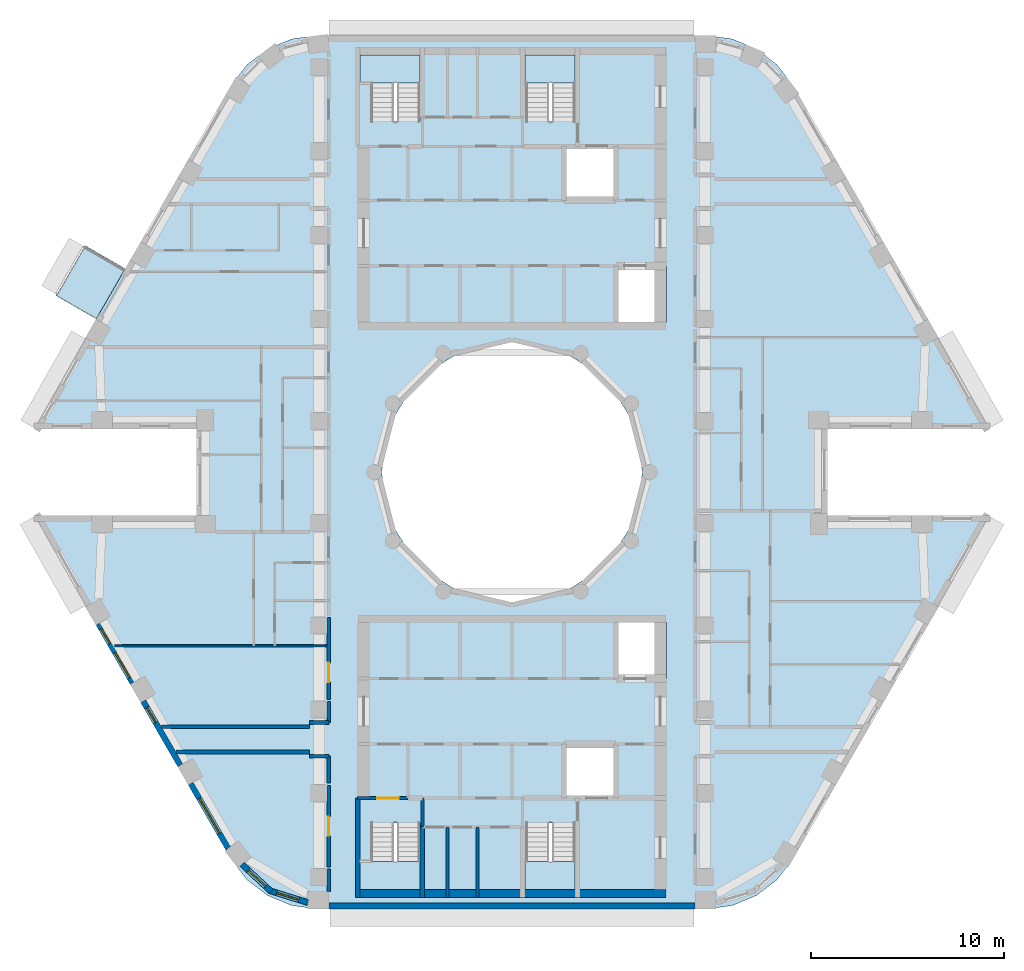
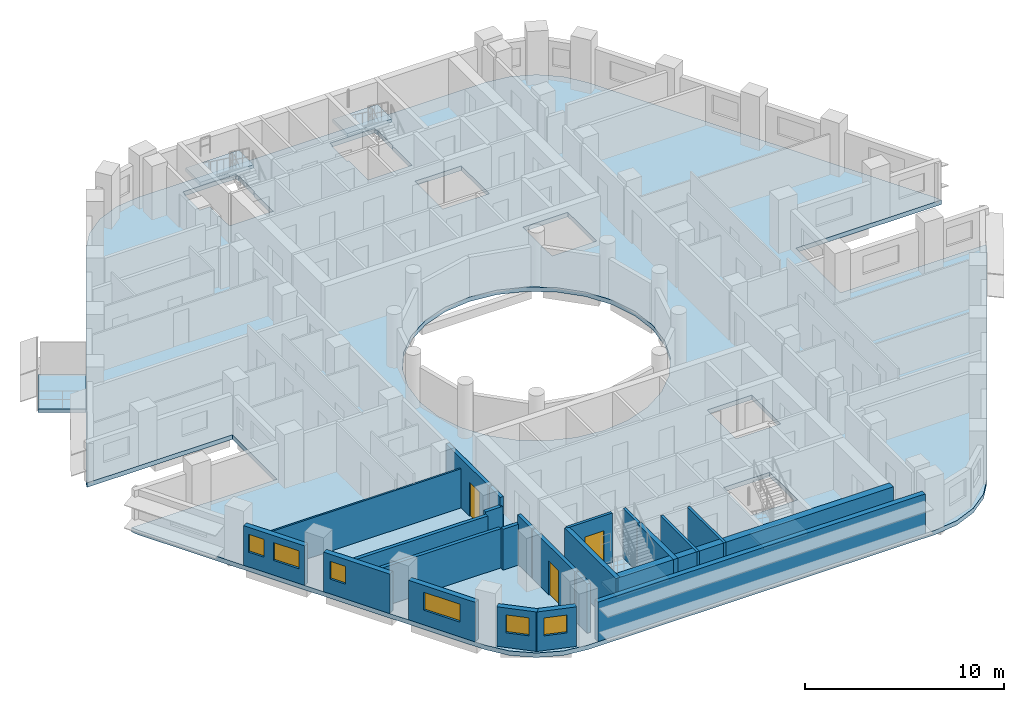
# One storey, part 2 of 13: 23 walls, 6 slabs, 6 windows, 3 doors, 9 openings, 4 elements without a shape of their own.
"""IFC4 building model written with IfcOpenShell, lengths in metres."""

from ifc_helpers import new_model, si_unit, direction, frame, frame_2d, origin, place, context, subcontext, project, spatial, polyline, rectangle, outline, extrude, material, layer, layer_set, type_object, element, fill, aggregate, save


model = new_model("IFC4")

# Units and contexts
model_context = context("Model", 3, precision=1e-05, world=origin(), true_north=direction((0.0, 1.0)))
body_context = subcontext(model_context, "Body", "Model", "MODEL_VIEW")
ifc_project = project(units=[si_unit("LENGTHUNIT", "METRE"), si_unit("AREAUNIT", "SQUARE_METRE"), si_unit("VOLUMEUNIT", "CUBIC_METRE"), si_unit("PLANEANGLEUNIT", "RADIAN"), si_unit("MASSUNIT", "GRAM", prefix="KILO")], contexts=[model_context])

# Site, building, storey
site_placement = place(None, origin())
site = spatial("IfcSite", under=ifc_project, at=site_placement, CompositionType="ELEMENT")
building_placement = place(site_placement, origin())
building = spatial("IfcBuilding", under=site, at=building_placement, Name="Nakaniwa Court", CompositionType="ELEMENT")
storey_placement = place(building_placement, frame((0.0, 0.0, 246.0)))
storey = spatial("IfcBuildingStorey", under=building, at=storey_placement, Name="L64", CompositionType="ELEMENT", Elevation=246.0)

# Slabs
ifc_material_1 = material(Name="Charcoal ceramic paver")
ifc_layer_1 = layer(ifc_material_1, 0.02, Name="Ceramic paver")
ifc_material_2 = material(Name="Cement sand screed")
ifc_layer_2 = layer(ifc_material_2, 0.03, Name="Falls screed")
ifc_material_3 = material(Name="Concrete C40/50", Category="concrete")
ifc_layer_3 = layer(ifc_material_3, 0.15, Name="Balcony slab")
ifc_layer_set_1 = layer_set([ifc_layer_1, ifc_layer_2, ifc_layer_3], Name="Concrete C40/50 balcony slab with ceramic paver finish")
slab_type_1 = type_object("IfcSlabType", Name="Balcony slab 200", PredefinedType="FLOOR", material=ifc_layer_set_1)
slab_1_placement = place(storey_placement, frame((0.0, 0.0, -0.25)))
element("IfcSlab", 1, at=slab_1_placement, inside=storey, type_object=slab_type_1, Name="L64 balcony 01", PredefinedType="FLOOR", context=body_context, shape_type="SweptSolid", body=[
    extrude(outline(polyline([(59.94287109375, 90.56005859375), (58.436279296875, 87.95068359375), (56.35791015625, 89.15087890625), (57.864501953125, 91.760009765625), (59.94287109375, 90.56005859375)])), origin(), (0.0, 0.0, 1.0), 0.199951171875),
])
ifc_material_4 = material(Name="Concrete C80/100", Category="concrete")
ifc_layer_4 = layer(ifc_material_4, 0.27490234375)
ifc_layer_set_2 = layer_set([ifc_layer_4], Name="Concrete C80/100")
slab_type_2 = type_object("IfcSlabType", Name="Concrete C80/100 post tensioned floor slab 275", PredefinedType="FLOOR", material=ifc_layer_set_2)
slab_2_placement = place(storey_placement, frame((0.0, 0.0, -0.27490234375)))
element("IfcSlab", 2, at=slab_2_placement, inside=storey, type_object=slab_type_2, Name="FLOOR SLAB", PredefinedType="FLOOR", context=body_context, shape_type="SweptSolid", body=[
    extrude(outline(polyline([(96.349609375, 82.25), (104.7978515625, 82.25), (104.65283203125, 82.60009765625), (94.578125, 100.050048828125), (93.751708984375, 101.126953125), (92.6748046875, 101.953369140625), (91.420654296875, 102.472900390625), (90.07470703125, 102.64990234375), (69.92529296875, 102.64990234375), (68.579345703125, 102.472900390625), (67.3251953125, 101.953369140625), (66.248291015625, 101.126953125), (65.421875, 100.050048828125), (55.34716796875, 82.60009765625), (55.2021484375, 82.25), (63.650390625, 82.25), (63.650390625, 77.75), (55.2021484375, 77.75), (55.34716796875, 77.39990234375), (65.421875, 59.949951171875), (66.248291015625, 58.873046875), (67.3251953125, 58.046630859375), (68.579345703125, 57.527099609375), (69.92529296875, 57.35009765625), (90.07470703125, 57.35009765625), (91.420654296875, 57.527099609375), (92.6748046875, 58.046630859375), (93.751708984375, 58.873046875), (94.578125, 59.949951171875), (104.65283203125, 77.39990234375), (104.7978515625, 77.75), (96.349609375, 77.75), (96.349609375, 82.25)]), holes=[polyline([(81.501953125, 86.580810546875), (80.0, 86.75), (78.498046875, 86.580810546875), (77.0712890625, 86.08154296875), (75.79150390625, 85.27734375), (74.72265625, 84.20849609375), (73.91845703125, 82.9287109375), (73.419189453125, 81.501953125), (73.25, 80.0), (73.419189453125, 78.498046875), (73.91845703125, 77.0712890625), (74.72265625, 75.79150390625), (75.79150390625, 74.72265625), (77.0712890625, 73.91845703125), (78.498046875, 73.419189453125), (80.0, 73.25), (81.501953125, 73.419189453125), (82.9287109375, 73.91845703125), (84.20849609375, 74.72265625), (85.27734375, 75.79150390625), (86.08154296875, 77.0712890625), (86.580810546875, 78.498046875), (86.75, 80.0), (86.580810546875, 81.501953125), (86.08154296875, 82.9287109375), (85.27734375, 84.20849609375), (84.20849609375, 85.27734375), (82.9287109375, 86.08154296875), (81.501953125, 86.580810546875)]), polyline([(72.675048828125, 61.81005859375), (72.675048828125, 59.864990234375), (72.0849609375, 59.864990234375), (72.0849609375, 58.31005859375), (72.125, 58.31005859375), (72.125, 58.074951171875), (75.22509765625, 58.074951171875), (75.22509765625, 58.31005859375), (75.264892578125, 58.31005859375), (75.264892578125, 59.864990234375), (75.22509765625, 59.864990234375), (75.22509765625, 61.81005859375), (72.675048828125, 61.81005859375)]), polyline([(83.27490234375, 61.81005859375), (80.72509765625, 61.81005859375), (80.72509765625, 59.864990234375), (80.635009765625, 59.864990234375), (80.635009765625, 58.31005859375), (80.675048828125, 58.31005859375), (80.675048828125, 58.074951171875), (83.27490234375, 58.074951171875), (83.27490234375, 58.31005859375), (83.31494140625, 58.31005859375), (83.31494140625, 59.864990234375), (83.27490234375, 59.864990234375), (83.27490234375, 61.81005859375)]), polyline([(75.264892578125, 101.68994140625), (75.22509765625, 101.68994140625), (75.22509765625, 101.925048828125), (72.125, 101.925048828125), (72.125, 101.68994140625), (72.0849609375, 101.68994140625), (72.0849609375, 100.135009765625), (72.675048828125, 100.135009765625), (72.675048828125, 98.18994140625), (75.22509765625, 98.18994140625), (75.22509765625, 100.135009765625), (75.264892578125, 100.135009765625), (75.264892578125, 101.68994140625)]), polyline([(83.31494140625, 100.135009765625), (83.31494140625, 101.68994140625), (83.27490234375, 101.68994140625), (83.27490234375, 101.925048828125), (80.675048828125, 101.925048828125), (80.675048828125, 101.68994140625), (80.635009765625, 101.68994140625), (80.635009765625, 100.135009765625), (80.72509765625, 100.135009765625), (80.72509765625, 98.18994140625), (83.27490234375, 98.18994140625), (83.27490234375, 100.135009765625), (83.31494140625, 100.135009765625)]), polyline([(85.39990234375, 65.89990234375), (82.699951171875, 65.89990234375), (82.699951171875, 63.10009765625), (85.39990234375, 63.10009765625), (85.39990234375, 65.89990234375)]), polyline([(88.0, 72.199951171875), (85.39990234375, 72.199951171875), (85.39990234375, 69.300048828125), (88.0, 69.300048828125), (88.0, 72.199951171875)]), polyline([(85.39990234375, 90.699951171875), (85.39990234375, 87.800048828125), (88.0, 87.800048828125), (88.0, 90.699951171875), (85.39990234375, 90.699951171875)]), polyline([(85.39990234375, 96.89990234375), (82.699951171875, 96.89990234375), (82.699951171875, 94.10009765625), (85.39990234375, 94.10009765625), (85.39990234375, 96.89990234375)])]), origin(), (0.0, 0.0, 1.0), 0.27490234375),
])

# Stair, slab
stair_type = type_object("IfcStairType", Name="Dog leg stair 1200 wide 18 risers", PredefinedType="HALF_TURN_STAIR", material=ifc_material_4)
stair_1_placement = place(storey_placement, origin())
stair_1 = element("IfcStair", 3, at=stair_1_placement, inside=storey, type_object=stair_type, Name="L64 Stair ST1", PredefinedType="HALF_TURN_STAIR")
ifc_layer_5 = layer(ifc_material_4, 0.199951171875)
ifc_layer_set_3 = layer_set([ifc_layer_5], Name="Concrete C80/100")
slab_type_3 = type_object("IfcSlabType", Name="Stair landing concrete", PredefinedType="LANDING", material=ifc_layer_set_3)
slab_3_placement = place(storey_placement, frame((0.0, 0.0, 1.449951171875)))
slab_3 = element("IfcSlab", 4, at=slab_3_placement, type_object=slab_type_3, Name="ST1 landing 1", PredefinedType="LANDING", context=body_context, shape_type="SweptSolid", body=[
    extrude(outline(polyline([(75.22509765625, 100.175048828125), (75.22509765625, 101.64990234375), (72.125, 101.64990234375), (72.125, 100.175048828125), (75.22509765625, 100.175048828125)])), origin(), (0.0, 0.0, 1.0), 0.199951171875),
])
aggregate(stair_1, [slab_3])

stair_2_placement = place(storey_placement, origin())
stair_2 = element("IfcStair", 5, at=stair_2_placement, inside=storey, type_object=stair_type, Name="L64 Stair ST2", PredefinedType="HALF_TURN_STAIR")
slab_4_placement = place(storey_placement, frame((0.0, 0.0, 1.449951171875)))
slab_4 = element("IfcSlab", 6, at=slab_4_placement, type_object=slab_type_3, Name="ST2 landing 1", PredefinedType="LANDING", context=body_context, shape_type="SweptSolid", body=[
    extrude(outline(polyline([(83.27490234375, 100.175048828125), (83.27490234375, 101.64990234375), (80.675048828125, 101.64990234375), (80.675048828125, 100.175048828125), (83.27490234375, 100.175048828125)])), origin(), (0.0, 0.0, 1.0), 0.199951171875),
])
aggregate(stair_2, [slab_4])

stair_3_placement = place(storey_placement, origin())
stair_3 = element("IfcStair", 7, at=stair_3_placement, inside=storey, type_object=stair_type, Name="L64 Stair ST3", PredefinedType="HALF_TURN_STAIR")
slab_5_placement = place(storey_placement, frame((0.0, 0.0, 1.449951171875)))
slab_5 = element("IfcSlab", 8, at=slab_5_placement, type_object=slab_type_3, Name="ST3 landing 1", PredefinedType="LANDING", context=body_context, shape_type="SweptSolid", body=[
    extrude(outline(polyline([(75.22509765625, 58.35009765625), (75.22509765625, 59.824951171875), (72.125, 59.824951171875), (72.125, 58.35009765625), (75.22509765625, 58.35009765625)])), origin(), (0.0, 0.0, 1.0), 0.199951171875),
])
aggregate(stair_3, [slab_5])

stair_4_placement = place(storey_placement, origin())
stair_4 = element("IfcStair", 9, at=stair_4_placement, inside=storey, type_object=stair_type, Name="L64 Stair ST4", PredefinedType="HALF_TURN_STAIR")
slab_6_placement = place(storey_placement, frame((0.0, 0.0, 1.449951171875)))
slab_6 = element("IfcSlab", 10, at=slab_6_placement, type_object=slab_type_3, Name="ST4 landing 1", PredefinedType="LANDING", context=body_context, shape_type="SweptSolid", body=[
    extrude(outline(polyline([(83.27490234375, 58.35009765625), (83.27490234375, 59.824951171875), (80.675048828125, 59.824951171875), (80.675048828125, 58.35009765625), (83.27490234375, 58.35009765625)])), origin(), (0.0, 0.0, 1.0), 0.199951171875),
])
aggregate(stair_4, [slab_6])

# Walls
ifc_material_5 = material(Name="Acoustic double stud partition")
ifc_layer_6 = layer(ifc_material_5, 0.199951171875)
ifc_layer_set_4 = layer_set([ifc_layer_6], Name="Acoustic double stud partition")
wall_type_1 = type_object("IfcWallType", Name="Acoustic double stud partition 200", PredefinedType="PARTITIONING", material=ifc_layer_set_4)
wall_1_placement = place(storey_placement, frame((62.56396484375, 65.5, 0.0), z_axis=(0.0, 0.0, 1.0), x_axis=(1.0, 0.0, 0.0)))
element("IfcWall", 11, at=wall_1_placement, inside=storey, type_object=wall_type_1, Name="Partition PW-081", PredefinedType="PARTITIONING", context=body_context, shape_type="SweptSolid", body=[
    extrude(rectangle(XDim=6.93603515625, YDim=0.199951171875, at=frame_2d((3.468017578125, 0.0))), origin(), (0.0, 0.0, 1.0), 2.405029296875),
])
for number, where, z_axis, x_axis, name in (
    (12, (69.5, 65.27490234375, 0.0), (0.0, 0.0, 1.0), (1.0, 0.0, 0.0), "Partition PW-083"),
    (13, (69.5, 67.02490234375, 0.0), (0.0, 0.0, 1.0), (1.0, 0.0, 0.0), "Partition PW-085"),
):
    element("IfcWall", number, at=place(storey_placement, frame(where, z_axis=z_axis, x_axis=x_axis)), inside=storey, type_object=wall_type_1, Name=name, PredefinedType="PARTITIONING", context=body_context, shape_type="SweptSolid", body=[
        extrude(rectangle(XDim=1.0, YDim=0.199951171875, at=frame_2d((0.5, 0.0))), origin(), (0.0, 0.0, 1.0), 2.5048828125),
    ])
wall_2_placement = place(storey_placement, frame((61.8134765625, 66.800048828125, 0.0), z_axis=(0.0, 0.0, 1.0), x_axis=(1.0, 0.0, 0.0)))
element("IfcWall", 14, at=wall_2_placement, inside=storey, type_object=wall_type_1, Name="Partition PW-087", PredefinedType="PARTITIONING", context=body_context, shape_type="SweptSolid", body=[
    extrude(rectangle(XDim=7.6865234375, YDim=0.199951171875, at=frame_2d((3.84326171875, 0.0))), origin(), (0.0, 0.0, 1.0), 2.405029296875),
])
wall_3_placement = place(storey_placement, frame((70.5, 58.26708984375, 0.0), z_axis=(0.0, 0.0, 1.0), x_axis=(0.0, 1.0, 0.0)))
element("IfcWall", 15, at=wall_3_placement, inside=storey, type_object=wall_type_1, Name="Partition PW-089", PredefinedType="PARTITIONING", context=body_context, shape_type="SweptSolid", body=[
    extrude(rectangle(XDim=1.14599609375, YDim=0.199951171875, at=frame_2d((0.572998046875, 0.0))), origin(), (0.0, 0.0, 1.0), 3.02490234375),
])

# Wall, opening, door
wall_4_placement = place(storey_placement, frame((70.5, 59.527099609375, 0.0), z_axis=(0.0, 0.0, 1.0), x_axis=(0.0, 1.0, 0.0)))
wall_4 = element("IfcWall", 16, at=wall_4_placement, inside=storey, type_object=wall_type_1, Name="Partition PW-090", PredefinedType="PARTITIONING", context=body_context, shape_type="SweptSolid", body=[
    extrude(rectangle(XDim=4.23583984375, YDim=0.199951171875, at=frame_2d((2.117919921875, 0.0))), origin(), (0.0, 0.0, 1.0), 3.02490234375),
])
opening_1_placement = place(wall_4_placement, frame((1.617919921875, 0.0, 0.0)))
opening_1 = element("IfcOpeningElement", 17, at=opening_1_placement, cuts=wall_4, Name="Opening D-02-04", PredefinedType="OPENING", context=body_context, shape_type="SweptSolid", body=[
    extrude(rectangle(XDim=1.0, YDim=2.10009765625, at=frame_2d((0.5, 1.050048828125))), frame((0.0, 0.10986328125, 0.0), z_axis=(0.0, -1.0, 0.0), x_axis=(1.0, 0.0, 0.0)), (0.0, 0.0, 1.0), 0.219970703125),
])
ifc_material_6 = material(Name="Solid core timber door set, black veneer", Category="wood")
door_type_1 = type_object("IfcDoorType", Name="Internal door 1000", OperationType="NOTDEFINED", PredefinedType="DOOR", material=ifc_material_6)
door_1_placement = place(opening_1_placement, origin())
door_1 = element("IfcDoor", 18, at=door_1_placement, inside=storey, type_object=door_type_1, Name="Door D-02-04 L64-060", OperationType="SINGLE_SWING_LEFT", OverallHeight=2.10009765625, OverallWidth=1.0, PredefinedType="DOOR", context=body_context, shape_type="SweptSolid", body=[
    extrude(rectangle(XDim=1.0, YDim=2.10009765625, at=frame_2d((0.5, 1.050048828125))), frame((0.0, 0.02490234375, 0.0), z_axis=(0.0, -1.0, 0.0), x_axis=(1.0, 0.0, 0.0)), (0.0, 0.0, 1.0), 0.050048828125),
])
fill(opening_1, door_1)

# Walls
wall_5_placement = place(storey_placement, frame((70.5, 63.876953125, 0.0), z_axis=(0.0, 0.0, 1.0), x_axis=(0.0, 1.0, 0.0)))
element("IfcWall", 19, at=wall_5_placement, inside=storey, type_object=wall_type_1, Name="Partition PW-091", PredefinedType="PARTITIONING", context=body_context, shape_type="SweptSolid", body=[
    extrude(rectangle(XDim=1.401123046875, YDim=0.199951171875, at=frame_2d((0.70068359375, 0.0))), origin(), (0.0, 0.0, 1.0), 3.02490234375),
])
wall_6_placement = place(storey_placement, frame((70.5, 67.02197265625, 0.0), z_axis=(0.0, 0.0, 1.0), x_axis=(0.0, 1.0, 0.0)))
element("IfcWall", 20, at=wall_6_placement, inside=storey, type_object=wall_type_1, Name="Partition PW-092", PredefinedType="PARTITIONING", context=body_context, shape_type="SweptSolid", body=[
    extrude(rectangle(XDim=1.091064453125, YDim=0.199951171875, at=frame_2d((0.54541015625, 0.0))), origin(), (0.0, 0.0, 1.0), 3.02490234375),
])

# Wall, opening, door
wall_7_placement = place(storey_placement, frame((70.5, 68.22705078125, 0.0), z_axis=(0.0, 0.0, 1.0), x_axis=(0.0, 1.0, 0.0)))
wall_7 = element("IfcWall", 21, at=wall_7_placement, inside=storey, type_object=wall_type_1, Name="Partition PW-093", PredefinedType="PARTITIONING", context=body_context, shape_type="SweptSolid", body=[
    extrude(rectangle(XDim=4.23583984375, YDim=0.199951171875, at=frame_2d((2.117919921875, 0.0))), origin(), (0.0, 0.0, 1.0), 3.02490234375),
])
opening_2_placement = place(wall_7_placement, frame((0.887939453125, 0.0, 0.0)))
opening_2 = element("IfcOpeningElement", 22, at=opening_2_placement, cuts=wall_7, Name="Opening D-02-05", PredefinedType="OPENING", context=body_context, shape_type="SweptSolid", body=[
    extrude(rectangle(XDim=1.0, YDim=2.10009765625, at=frame_2d((0.5, 1.050048828125))), frame((0.0, 0.10986328125, 0.0), z_axis=(0.0, -1.0, 0.0), x_axis=(1.0, 0.0, 0.0)), (0.0, 0.0, 1.0), 0.219970703125),
])
door_2_placement = place(opening_2_placement, origin())
door_2 = element("IfcDoor", 23, at=door_2_placement, inside=storey, type_object=door_type_1, Name="Door D-02-05 L64-061", OperationType="SINGLE_SWING_RIGHT", OverallHeight=2.10009765625, OverallWidth=1.0, PredefinedType="DOOR", context=body_context, shape_type="SweptSolid", body=[
    extrude(rectangle(XDim=1.0, YDim=2.10009765625, at=frame_2d((0.5, 1.050048828125))), frame((0.0, 0.02490234375, 0.0), z_axis=(0.0, -1.0, 0.0), x_axis=(1.0, 0.0, 0.0)), (0.0, 0.0, 1.0), 0.050048828125),
])
fill(opening_2, door_2)

# Wall, openings, windows
ifc_material_7 = material(Name="Charcoal ceramic cladding")
ifc_layer_7 = layer(ifc_material_7, 0.02, Name="Ceramic cladding")
ifc_material_8 = material(Name="Ventilated air cavity")
ifc_layer_8 = layer(ifc_material_8, 0.04, ventilated=True, Name="Ventilated cavity")
ifc_material_9 = material(Name="Mineral wool insulation")
ifc_layer_9 = layer(ifc_material_9, 0.1, Name="Insulation")
ifc_material_10 = material(Name="Cement bonded sheathing board")
ifc_layer_10 = layer(ifc_material_10, 0.012, Name="Sheathing")
ifc_material_11 = material(Name="Cold-formed galvanised stud frame with mineral wool infill")
ifc_layer_11 = layer(ifc_material_11, 0.1, Name="Stud frame")
ifc_material_12 = material(Name="Fire-rated gypsum plasterboard lining")
ifc_layer_12 = layer(ifc_material_12, 0.028, Name="Lining")
ifc_layer_set_5 = layer_set([ifc_layer_7, ifc_layer_8, ifc_layer_9, ifc_layer_10, ifc_layer_11, ifc_layer_12], Name="Charcoal ceramic faced external wall system")
wall_type_2 = type_object("IfcWallType", Name="Black ceramic faced external wall 300", PredefinedType="SOLIDWALL", material=ifc_layer_set_5)
wall_8_placement = place(storey_placement, frame((58.55419921875, 72.14501953125, 0.0), z_axis=(0.0, 0.0, 1.0), x_axis=(0.500010404316, -0.866019396766, 0.0)))
wall_8 = element("IfcWall", 24, at=wall_8_placement, inside=storey, type_object=wall_type_2, Name="L64 external wall 21", PredefinedType="SOLIDWALL", context=body_context, shape_type="SweptSolid", body=[
    extrude(rectangle(XDim=3.54736328125, YDim=0.300048828125, at=frame_2d((1.773681640625, 0.0))), origin(), (0.0, 0.0, 1.0), 2.425048828125),
])
opening_3_placement = place(wall_8_placement, frame((0.28515625, 0.0, 0.89990234375)))
opening_3 = element("IfcOpeningElement", 25, at=opening_3_placement, cuts=wall_8, Name="Opening W9.20", PredefinedType="OPENING", context=body_context, shape_type="SweptSolid", body=[
    extrude(rectangle(XDim=0.89990234375, YDim=1.10009765625, at=frame_2d((0.449951171875, 0.550048828125))), frame((0.0, 0.159912109375, 0.0), z_axis=(0.0, -1.0, 0.0), x_axis=(1.0, 0.0, 0.0)), (0.0, 0.0, 1.0), 0.320068359375),
])
opening_4_placement = place(wall_8_placement, frame((1.7216796875, 0.0, 0.89990234375)))
opening_4 = element("IfcOpeningElement", 26, at=opening_4_placement, cuts=wall_8, Name="Opening W5.21", PredefinedType="OPENING", context=body_context, shape_type="SweptSolid", body=[
    extrude(rectangle(XDim=1.5, YDim=1.10009765625, at=frame_2d((0.75, 0.550048828125))), frame((0.0, 0.159912109375, 0.0), z_axis=(0.0, -1.0, 0.0), x_axis=(1.0, 0.0, 0.0)), (0.0, 0.0, 1.0), 0.320068359375),
])
ifc_material_13 = material(Name="Black anodised aluminium frame with dark low-E laminated double glazing", Category="aluminium")
window_type_1 = type_object("IfcWindowType", Name="Dark glass window 1500x1100 sill 900", PartitioningType="SINGLE_PANEL", PredefinedType="WINDOW", material=ifc_material_13)
window_1_placement = place(opening_4_placement, origin())
window_1 = element("IfcWindow", 27, at=window_1_placement, inside=storey, type_object=window_type_1, Name="L64 habitable room window 21-1", OverallHeight=1.10009765625, OverallWidth=1.5, PartitioningType="SINGLE_PANEL", PredefinedType="WINDOW", context=body_context, shape_type="SweptSolid", body=[
    extrude(rectangle(XDim=1.5, YDim=1.10009765625, at=frame_2d((0.75, 0.550048828125))), frame((0.0, 0.030029296875, 0.0), z_axis=(0.0, -1.0, 0.0), x_axis=(1.0, 0.0, 0.0)), (0.0, 0.0, 1.0), 0.06005859375),
])
fill(opening_4, window_1)
window_type_2 = type_object("IfcWindowType", Name="Dark glass window 900x1100 sill 900", PartitioningType="SINGLE_PANEL", PredefinedType="WINDOW", material=ifc_material_13)
window_2_placement = place(opening_3_placement, origin())
window_2 = element("IfcWindow", 28, at=window_2_placement, inside=storey, type_object=window_type_2, Name="L64 living window 21-0", OverallHeight=1.10009765625, OverallWidth=0.89990234375, PartitioningType="SINGLE_PANEL", PredefinedType="WINDOW", context=body_context, shape_type="SweptSolid", body=[
    extrude(rectangle(XDim=0.89990234375, YDim=1.10009765625, at=frame_2d((0.449951171875, 0.550048828125))), frame((0.0, 0.030029296875, 0.0), z_axis=(0.0, -1.0, 0.0), x_axis=(1.0, 0.0, 0.0)), (0.0, 0.0, 1.0), 0.06005859375),
])
fill(opening_3, window_2)

# Wall, opening, window
wall_9_placement = place(storey_placement, frame((60.873779296875, 68.12744140625, 0.0), z_axis=(0.0, 0.0, 1.0), x_axis=(0.499984490703, -0.866034357896, 0.0)))
wall_9 = element("IfcWall", 29, at=wall_9_placement, inside=storey, type_object=wall_type_2, Name="L64 external wall 22", PredefinedType="SOLIDWALL", context=body_context, shape_type="SweptSolid", body=[
    extrude(rectangle(XDim=3.84423828125, YDim=0.300048828125, at=frame_2d((1.922119140625, 0.0))), origin(), (0.0, 0.0, 1.0), 2.425048828125),
])
opening_5_placement = place(wall_9_placement, frame((0.37744140625, 0.0, 0.89990234375)))
opening_5 = element("IfcOpeningElement", 30, at=opening_5_placement, cuts=wall_9, Name="Opening W9.22", PredefinedType="OPENING", context=body_context, shape_type="SweptSolid", body=[
    extrude(rectangle(XDim=0.89990234375, YDim=1.10009765625, at=frame_2d((0.449951171875, 0.550048828125))), frame((0.0, 0.159912109375, 0.0), z_axis=(0.0, -1.0, 0.0), x_axis=(1.0, 0.0, 0.0)), (0.0, 0.0, 1.0), 0.320068359375),
])
window_3_placement = place(opening_5_placement, origin())
window_3 = element("IfcWindow", 31, at=window_3_placement, inside=storey, type_object=window_type_2, Name="L64 habitable room window 22-0", OverallHeight=1.10009765625, OverallWidth=0.89990234375, PartitioningType="SINGLE_PANEL", PredefinedType="WINDOW", context=body_context, shape_type="SweptSolid", body=[
    extrude(rectangle(XDim=0.89990234375, YDim=1.10009765625, at=frame_2d((0.449951171875, 0.550048828125))), frame((0.0, 0.030029296875, 0.0), z_axis=(0.0, -1.0, 0.0), x_axis=(1.0, 0.0, 0.0)), (0.0, 0.0, 1.0), 0.06005859375),
])
fill(opening_5, window_3)

wall_10_placement = place(storey_placement, frame((63.342041015625, 63.8525390625, 0.0), z_axis=(0.0, 0.0, 1.0), x_axis=(0.500011218404, -0.866018926739, 0.0)))
wall_10 = element("IfcWall", 32, at=wall_10_placement, inside=storey, type_object=wall_type_2, Name="L64 external wall 23", PredefinedType="SOLIDWALL", context=body_context, shape_type="SweptSolid", body=[
    extrude(rectangle(XDim=3.87890625, YDim=0.300048828125, at=frame_2d((1.939453125, 0.0))), origin(), (0.0, 0.0, 1.0), 2.425048828125),
])
opening_6_placement = place(wall_10_placement, frame((0.878173828125, 0.0, 0.89990234375)))
opening_6 = element("IfcOpeningElement", 33, at=opening_6_placement, cuts=wall_10, Name="Opening W7.23", PredefinedType="OPENING", context=body_context, shape_type="SweptSolid", body=[
    extrude(rectangle(XDim=2.10009765625, YDim=1.10009765625, at=frame_2d((1.050048828125, 0.550048828125))), frame((0.0, 0.159912109375, 0.0), z_axis=(0.0, -1.0, 0.0), x_axis=(1.0, 0.0, 0.0)), (0.0, 0.0, 1.0), 0.320068359375),
])
window_type_3 = type_object("IfcWindowType", Name="Dark glass window 2100x1100 sill 900", PartitioningType="SINGLE_PANEL", PredefinedType="WINDOW", material=ifc_material_13)
window_4_placement = place(opening_6_placement, origin())
window_4 = element("IfcWindow", 34, at=window_4_placement, inside=storey, type_object=window_type_3, Name="L64 habitable room window 23-0", OverallHeight=1.10009765625, OverallWidth=2.10009765625, PartitioningType="SINGLE_PANEL", PredefinedType="WINDOW", context=body_context, shape_type="SweptSolid", body=[
    extrude(rectangle(XDim=2.10009765625, YDim=1.10009765625, at=frame_2d((1.050048828125, 0.550048828125))), frame((0.0, 0.030029296875, 0.0), z_axis=(0.0, -1.0, 0.0), x_axis=(1.0, 0.0, 0.0)), (0.0, 0.0, 1.0), 0.06005859375),
])
fill(opening_6, window_4)

wall_11_placement = place(storey_placement, frame((65.99609375, 59.665283203125, 0.0), z_axis=(0.0, 0.0, 1.0), x_axis=(0.731942518471, -0.6813663843, 0.0)))
wall_11 = element("IfcWall", 35, at=wall_11_placement, inside=storey, type_object=wall_type_2, Name="L64 external wall 24", PredefinedType="SOLIDWALL", context=body_context, shape_type="SweptSolid", body=[
    extrude(rectangle(XDim=2.07568359375, YDim=0.300048828125, at=frame_2d((1.037841796875, 0.0))), origin(), (0.0, 0.0, 1.0), 2.425048828125),
])
opening_7_placement = place(wall_11_placement, frame((0.464111328125, 0.0, 0.89990234375)))
opening_7 = element("IfcOpeningElement", 36, at=opening_7_placement, cuts=wall_11, Name="Opening W6.24", PredefinedType="OPENING", context=body_context, shape_type="SweptSolid", body=[
    extrude(rectangle(XDim=1.199951171875, YDim=1.10009765625, at=frame_2d((0.60009765625, 0.550048828125))), frame((0.0, 0.159912109375, 0.0), z_axis=(0.0, -1.0, 0.0), x_axis=(1.0, 0.0, 0.0)), (0.0, 0.0, 1.0), 0.320068359375),
])
window_type_4 = type_object("IfcWindowType", Name="Dark glass window 1200x1100 sill 900", PartitioningType="SINGLE_PANEL", PredefinedType="WINDOW", material=ifc_material_13)
window_5_placement = place(opening_7_placement, origin())
window_5 = element("IfcWindow", 37, at=window_5_placement, inside=storey, type_object=window_type_4, Name="L64 habitable room window 24-0", OverallHeight=1.10009765625, OverallWidth=1.199951171875, PartitioningType="SINGLE_PANEL", PredefinedType="WINDOW", context=body_context, shape_type="SweptSolid", body=[
    extrude(rectangle(XDim=1.199951171875, YDim=1.10009765625, at=frame_2d((0.60009765625, 0.550048828125))), frame((0.0, 0.030029296875, 0.0), z_axis=(0.0, -1.0, 0.0), x_axis=(1.0, 0.0, 0.0)), (0.0, 0.0, 1.0), 0.06005859375),
])
fill(opening_7, window_5)

wall_12_placement = place(storey_placement, frame((67.406494140625, 58.3076171875, 0.0), z_axis=(0.0, 0.0, 1.0), x_axis=(0.954761314907, -0.297373219301, 0.0)))
wall_12 = element("IfcWall", 38, at=wall_12_placement, inside=storey, type_object=wall_type_2, Name="L64 external wall 25", PredefinedType="SOLIDWALL", context=body_context, shape_type="SweptSolid", body=[
    extrude(rectangle(XDim=2.096923828125, YDim=0.300048828125, at=frame_2d((1.04833984375, 0.0))), origin(), (0.0, 0.0, 1.0), 2.425048828125),
])
opening_8_placement = place(wall_12_placement, frame((0.409423828125, 0.0, 0.89990234375)))
opening_8 = element("IfcOpeningElement", 39, at=opening_8_placement, cuts=wall_12, Name="Opening W6.25", PredefinedType="OPENING", context=body_context, shape_type="SweptSolid", body=[
    extrude(rectangle(XDim=1.199951171875, YDim=1.10009765625, at=frame_2d((0.60009765625, 0.550048828125))), frame((0.0, 0.159912109375, 0.0), z_axis=(0.0, -1.0, 0.0), x_axis=(1.0, 0.0, 0.0)), (0.0, 0.0, 1.0), 0.320068359375),
])
window_6_placement = place(opening_8_placement, origin())
window_6 = element("IfcWindow", 40, at=window_6_placement, inside=storey, type_object=window_type_4, Name="L64 habitable room window 25-0", OverallHeight=1.10009765625, OverallWidth=1.199951171875, PartitioningType="SINGLE_PANEL", PredefinedType="WINDOW", context=body_context, shape_type="SweptSolid", body=[
    extrude(rectangle(XDim=1.199951171875, YDim=1.10009765625, at=frame_2d((0.60009765625, 0.550048828125))), frame((0.0, 0.030029296875, 0.0), z_axis=(0.0, -1.0, 0.0), x_axis=(1.0, 0.0, 0.0)), (0.0, 0.0, 1.0), 0.06005859375),
])
fill(opening_8, window_6)

# Walls
wall_13_placement = place(storey_placement, frame((70.500732421875, 57.5, 0.0), z_axis=(0.0, 0.0, 1.0), x_axis=(1.0, 0.0, 0.0)))
element("IfcWall", 41, at=wall_13_placement, inside=storey, type_object=wall_type_2, Name="L64 external wall 26", PredefinedType="SOLIDWALL", context=body_context, shape_type="SweptSolid", body=[
    extrude(rectangle(XDim=18.99267578125, YDim=0.300048828125, at=frame_2d((9.496337890625, 0.0))), origin(), (0.0, 0.0, 1.0), 2.425048828125),
])
ifc_material_14 = material(Name="Blockwork partition", Category="masonry")
ifc_layer_13 = layer(ifc_material_14, 0.14990234375)
ifc_layer_set_6 = layer_set([ifc_layer_13], Name="Blockwork partition")
wall_type_3 = type_object("IfcWallType", Name="Blockwork partition 150", PredefinedType="PARTITIONING", material=ifc_layer_set_6)
for number, where, z_axis, x_axis, name in (
    (42, (76.64990234375, 57.949951171875, 0.0), (0.0, 0.0, 1.0), (0.0, 1.0, 0.0), "Partition PW-059"),
    (43, (78.2099609375, 57.949951171875, 0.0), (0.0, 0.0, 1.0), (0.0, 1.0, 0.0), "Partition PW-060"),
):
    element("IfcWall", number, at=place(storey_placement, frame(where, z_axis=z_axis, x_axis=x_axis)), inside=storey, type_object=wall_type_3, Name=name, PredefinedType="PARTITIONING", context=body_context, shape_type="SweptSolid", body=[
        extrude(rectangle(XDim=3.650146484375, YDim=0.14990234375, at=frame_2d((1.8251953125, 0.0))), origin(), (0.0, 0.0, 1.0), 3.02490234375),
    ])

# Wall, opening, door
ifc_layer_14 = layer(ifc_material_4, 0.14990234375)
ifc_layer_set_7 = layer_set([ifc_layer_14], Name="Concrete C80/100")
wall_type_4 = type_object("IfcWallType", Name="Concrete core wall 150 C80", PredefinedType="SHEAR", material=ifc_layer_set_7)
wall_14_placement = place(storey_placement, frame((72.0, 63.10009765625, -0.27490234375), z_axis=(0.0, 0.0, 1.0), x_axis=(1.0, 0.0, 0.0)))
wall_14 = element("IfcWall", 44, at=wall_14_placement, inside=storey, type_object=wall_type_4, Name="Core wall SW-47", PredefinedType="SHEAR", context=body_context, shape_type="SweptSolid", body=[
    extrude(rectangle(XDim=2.60009765625, YDim=0.14990234375, at=frame_2d((1.300048828125, 0.0))), origin(), (0.0, 0.0, 1.0), 3.2998046875),
])
opening_9_placement = place(wall_14_placement, frame((1.02001953125, 0.0, 0.27490234375)))
opening_9 = element("IfcOpeningElement", 45, at=opening_9_placement, cuts=wall_14, Name="Opening D-09-02", PredefinedType="OPENING", context=body_context, shape_type="SweptSolid", body=[
    extrude(rectangle(XDim=1.10009765625, YDim=2.10009765625, at=frame_2d((0.550048828125, 1.050048828125))), frame((0.0, 0.0849609375, 0.0), z_axis=(0.0, -1.0, 0.0), x_axis=(1.0, 0.0, 0.0)), (0.0, 0.0, 1.0), 0.169921875),
])
ifc_material_15 = material(Name="Fire rated steel door set", Category="steel")
door_type_2 = type_object("IfcDoorType", Name="Stair door 1100", OperationType="NOTDEFINED", PredefinedType="DOOR", material=ifc_material_15)
door_3_placement = place(opening_9_placement, origin())
door_3 = element("IfcDoor", 46, at=door_3_placement, inside=storey, type_object=door_type_2, Name="Door D-09-02 L64-031", OperationType="SINGLE_SWING_LEFT", OverallHeight=2.10009765625, OverallWidth=1.10009765625, PredefinedType="DOOR", context=body_context, shape_type="SweptSolid", body=[
    extrude(rectangle(XDim=1.10009765625, YDim=2.10009765625, at=frame_2d((0.550048828125, 1.050048828125))), frame((0.0, 0.02490234375, 0.0), z_axis=(0.0, -1.0, 0.0), x_axis=(1.0, 0.0, 0.0)), (0.0, 0.0, 1.0), 0.050048828125),
])
fill(opening_9, door_3)

# Walls
wall_15_placement = place(storey_placement, frame((75.35009765625, 61.596923828125, -0.27490234375), z_axis=(0.0, 0.0, 1.0), x_axis=(0.0, 1.0, 0.0)))
element("IfcWall", 47, at=wall_15_placement, inside=storey, type_object=wall_type_4, Name="Core wall SW-52", PredefinedType="SHEAR", context=body_context, shape_type="SweptSolid", body=[
    extrude(rectangle(XDim=1.503173828125, YDim=0.14990234375, at=frame_2d((0.75146484375, 0.0))), origin(), (0.0, 0.0, 1.0), 3.2998046875),
])
ifc_layer_15 = layer(ifc_material_4, 0.25)
ifc_layer_set_8 = layer_set([ifc_layer_15], Name="Concrete C80/100")
wall_type_5 = type_object("IfcWallType", Name="Concrete core wall 250 C80", PredefinedType="SHEAR", material=ifc_layer_set_8)
wall_16_placement = place(storey_placement, frame((72.0, 57.949951171875, -0.27490234375), z_axis=(0.0, 0.0, 1.0), x_axis=(0.0, 1.0, 0.0)))
element("IfcWall", 48, at=wall_16_placement, inside=storey, type_object=wall_type_5, Name="Core wall SW-54", PredefinedType="SHEAR", context=body_context, shape_type="SweptSolid", body=[
    extrude(rectangle(XDim=5.150146484375, YDim=0.25, at=frame_2d((2.5751953125, 0.0))), origin(), (0.0, 0.0, 1.0), 3.2998046875),
])
ifc_layer_16 = layer(ifc_material_4, 0.39990234375)
ifc_layer_set_9 = layer_set([ifc_layer_16], Name="Concrete C80/100")
wall_type_6 = type_object("IfcWallType", Name="Concrete core wall 400 C80", PredefinedType="SHEAR", material=ifc_layer_set_9)
wall_17_placement = place(storey_placement, frame((72.00390625, 58.14990234375, -0.27490234375), z_axis=(0.0, 0.0, 1.0), x_axis=(1.0, 0.0, 0.0)))
element("IfcWall", 49, at=wall_17_placement, inside=storey, type_object=wall_type_6, Name="Core wall SW-133", PredefinedType="SHEAR", context=body_context, shape_type="SweptSolid", body=[
    extrude(rectangle(XDim=15.9921875, YDim=0.39990234375, at=frame_2d((7.99609375, 0.0))), origin(), (0.0, 0.0, 1.0), 3.2998046875),
])
ifc_layer_17 = layer(ifc_material_4, 0.25)
ifc_layer_set_10 = layer_set([ifc_layer_17], Name="Concrete C80/100")
wall_type_7 = type_object("IfcWallType", Name="Concrete shaft wall 250 C80", PredefinedType="SHEAR", material=ifc_layer_set_10)
wall_18_placement = place(storey_placement, frame((75.35009765625, 57.949951171875, -0.27490234375), z_axis=(0.0, 0.0, 1.0), x_axis=(0.0, 1.0, 0.0)))
element("IfcWall", 50, at=wall_18_placement, inside=storey, type_object=wall_type_7, Name="Core wall SW-53", PredefinedType="SHEAR", context=body_context, shape_type="SweptSolid", body=[
    extrude(rectangle(XDim=3.653076171875, YDim=0.25, at=frame_2d((1.82666015625, 0.0))), origin(), (0.0, 0.0, 1.0), 3.2998046875),
])
ifc_material_16 = material(Name="Single stud plasterboard partition")
ifc_layer_18 = layer(ifc_material_16, 0.10009765625)
ifc_layer_set_11 = layer_set([ifc_layer_18], Name="Single stud plasterboard partition")
wall_type_8 = type_object("IfcWallType", Name="Single stud plasterboard partition 100", PredefinedType="PARTITIONING", material=ifc_layer_set_11)
wall_19_placement = place(storey_placement, frame((59.388671875, 71.0, 0.0), z_axis=(0.0, 0.0, 1.0), x_axis=(1.0, 0.0, 0.0)))
element("IfcWall", 51, at=wall_19_placement, inside=storey, type_object=wall_type_8, Name="Partition PW-115", PredefinedType="PARTITIONING", context=body_context, shape_type="SweptSolid", body=[
    extrude(rectangle(XDim=11.111328125, YDim=0.10009765625, at=frame_2d((5.5556640625, 0.0))), origin(), (0.0, 0.0, 1.0), 2.405029296875),
])

save(model, "model.ifc")
